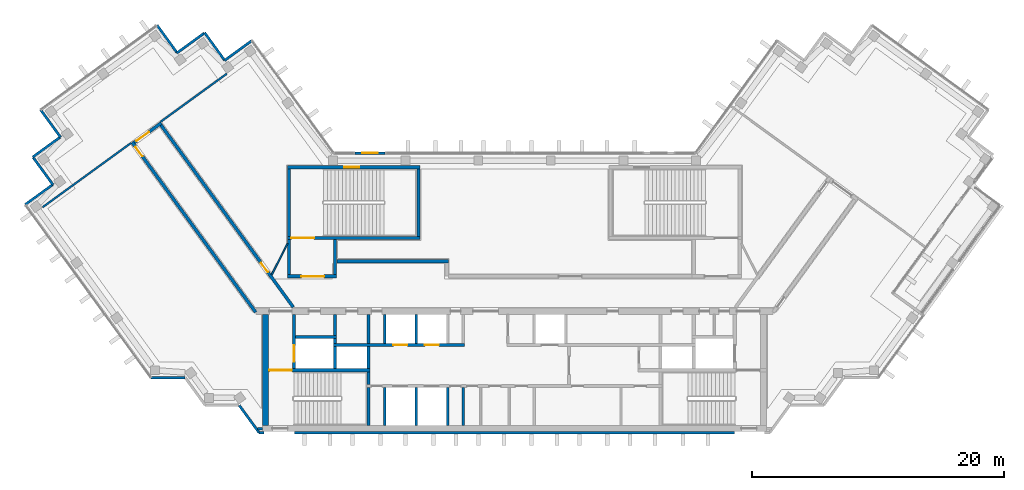
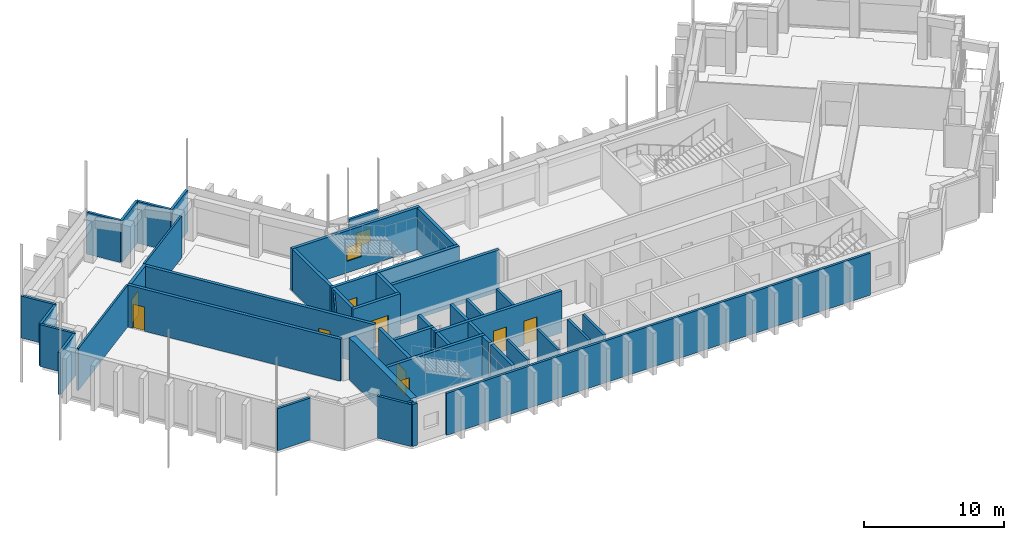
# One storey, part 9 of 14: 46 walls, 9 doors, 2 windows, 11 openings.
"""IFC4 building model written with IfcOpenShell, lengths in metres."""

from ifc_helpers import new_model, si_unit, direction, frame, frame_2d, origin, place, context, subcontext, project, spatial, rectangle, extrude, material, layer, layer_set, type_object, element, fill, save


model = new_model("IFC4")

# Units and contexts
model_context = context("Model", 3, precision=1e-05, world=origin(), true_north=direction((0.0, 1.0)))
body_context = subcontext(model_context, "Body", "Model", "MODEL_VIEW")
ifc_project = project(units=[si_unit("LENGTHUNIT", "METRE"), si_unit("AREAUNIT", "SQUARE_METRE"), si_unit("VOLUMEUNIT", "CUBIC_METRE"), si_unit("PLANEANGLEUNIT", "RADIAN"), si_unit("MASSUNIT", "GRAM", prefix="KILO")], contexts=[model_context])

# Site, building, storey
site_placement = place(None, origin())
site = spatial("IfcSite", under=ifc_project, at=site_placement, CompositionType="ELEMENT")
building_placement = place(site_placement, origin())
building = spatial("IfcBuilding", under=site, at=building_placement, Name="Quipu Civic Tower", CompositionType="ELEMENT")
storey_placement = place(building_placement, frame((0.0, 0.0, 311.0)))
storey = spatial("IfcBuildingStorey", under=building, at=storey_placement, Name="L72", CompositionType="ELEMENT", Elevation=311.0)

# Walls
ifc_material_1 = material(Name="Double gypsum plasterboard with mineral wool")
ifc_layer_1 = layer(ifc_material_1, 0.14990234375)
ifc_layer_set_1 = layer_set([ifc_layer_1], Name="Double gypsum plasterboard with mineral wool")
wall_type_1 = type_object("IfcWallType", Name="Acoustic partition 150 plasterboard", PredefinedType="PARTITIONING", material=ifc_layer_set_1)
wall_1_placement = place(storey_placement, frame((-22.818359375, 17.39599609375, 0.0), z_axis=(0.0, 0.0, 1.0), x_axis=(-0.809000932727, -0.587807358619, 0.0)))
element("IfcWall", 1, at=wall_1_placement, inside=storey, type_object=wall_type_1, Name="Partition P02", PredefinedType="PARTITIONING", context=body_context, shape_type="SweptSolid", body=[
    extrude(rectangle(XDim=6.49560546875, YDim=0.14990234375, at=frame_2d((3.247802734375, 0.0))), origin(), (0.0, 0.0, 1.0), 3.64990234375),
])
wall_2_placement = place(storey_placement, frame((-37.42919921875, 6.805419921875, 0.0), z_axis=(0.0, 0.0, 1.0), x_axis=(0.809020922653, 0.587779845444, 0.0)))
element("IfcWall", 2, at=wall_2_placement, inside=storey, type_object=wall_type_1, Name="Partition P03", PredefinedType="PARTITIONING", context=body_context, shape_type="SweptSolid", body=[
    extrude(rectangle(XDim=8.670166015625, YDim=0.14990234375, at=frame_2d((4.3349609375, 0.0))), origin(), (0.0, 0.0, 1.0), 3.64990234375),
])
ifc_material_2 = material(Name="Concrete C70/85", Category="concrete")
ifc_layer_2 = layer(ifc_material_2, 0.25)
ifc_layer_set_2 = layer_set([ifc_layer_2], Name="Concrete C70/85")
wall_type_2 = type_object("IfcWallType", Name="Core wall 250", PredefinedType="SHEAR", material=ifc_layer_set_2)
wall_3_placement = place(storey_placement, frame((-11.574951171875, -10.5, 0.0), z_axis=(0.0, 0.0, 1.0), x_axis=(0.0, 1.0, 0.0)))
element("IfcWall", 3, at=wall_3_placement, inside=storey, type_object=wall_type_2, Name="Core wall", PredefinedType="SHEAR", context=body_context, shape_type="SweptSolid", body=[
    extrude(rectangle(XDim=3.0, YDim=0.25, at=frame_2d((1.5, 0.0))), origin(), (0.0, 0.0, 1.0), 3.64990234375),
])
wall_4_placement = place(storey_placement, frame((-11.574951171875, -7.25, 0.0), z_axis=(0.0, 0.0, 1.0), x_axis=(0.0, 1.0, 0.0)))
element("IfcWall", 4, at=wall_4_placement, inside=storey, type_object=wall_type_2, Name="Core wall", PredefinedType="SHEAR", context=body_context, shape_type="SweptSolid", body=[
    extrude(rectangle(XDim=1.0, YDim=0.25, at=frame_2d((0.5, 0.0))), origin(), (0.0, 0.0, 1.0), 3.64990234375),
])

# Wall, opening, door
wall_5_placement = place(storey_placement, frame((-11.449951171875, -6.125, 0.0), z_axis=(0.0, 0.0, 1.0), x_axis=(-1.0, 0.0, 0.0)))
wall_5 = element("IfcWall", 5, at=wall_5_placement, inside=storey, type_object=wall_type_2, Name="Core wall", PredefinedType="SHEAR", context=body_context, shape_type="SweptSolid", body=[
    extrude(rectangle(XDim=8.050048828125, YDim=0.25, at=frame_2d((4.02490234375, 0.0))), origin(), (0.0, 0.0, 1.0), 3.64990234375),
])
opening_1_placement = place(wall_5_placement, frame((6.199951171875, 0.0, 0.0)))
opening_1 = element("IfcOpeningElement", 6, at=opening_1_placement, cuts=wall_5, Name="Opening CD-08", PredefinedType="OPENING", context=body_context, shape_type="SweptSolid", body=[
    extrude(rectangle(XDim=1.800048828125, YDim=2.10009765625, at=frame_2d((0.89990234375, 1.050048828125))), frame((0.0, 0.135009765625, 0.0), z_axis=(0.0, -1.0, 0.0), x_axis=(1.0, 0.0, 0.0)), (0.0, 0.0, 1.0), 0.27001953125),
])
ifc_material_3 = material(Name="Fire rated steel door", Category="steel")
door_type_1 = type_object("IfcDoorType", Name="Fire door FD90 double 1800 x 2100", OperationType="NOTDEFINED", PredefinedType="DOOR", material=ifc_material_3)
door_1_placement = place(opening_1_placement, origin())
door_1 = element("IfcDoor", 7, at=door_1_placement, inside=storey, type_object=door_type_1, Name="Door", OperationType="DOUBLE_DOOR_SINGLE_SWING", OverallHeight=2.10009765625, OverallWidth=1.800048828125, PredefinedType="DOOR", context=body_context, shape_type="SweptSolid", body=[
    extrude(rectangle(XDim=1.800048828125, YDim=2.10009765625, at=frame_2d((0.89990234375, 1.050048828125))), frame((0.0, 0.02490234375, 0.0), z_axis=(0.0, -1.0, 0.0), x_axis=(1.0, 0.0, 0.0)), (0.0, 0.0, 1.0), 0.050048828125),
])
fill(opening_1, door_1)

wall_6_placement = place(storey_placement, frame((-17.47509765625, -6.0, 0.0), z_axis=(0.0, 0.0, 1.0), x_axis=(0.0, 1.0, 0.0)))
wall_6 = element("IfcWall", 8, at=wall_6_placement, inside=storey, type_object=wall_type_2, Name="Core wall", PredefinedType="SHEAR", context=body_context, shape_type="SweptSolid", body=[
    extrude(rectangle(XDim=4.300048828125, YDim=0.25, at=frame_2d((2.14990234375, 0.0))), origin(), (0.0, 0.0, 1.0), 3.64990234375),
])
opening_2_placement = place(wall_6_placement, frame((0.550048828125, 0.0, 0.0)))
opening_2 = element("IfcOpeningElement", 9, at=opening_2_placement, cuts=wall_6, Name="Opening LD-FF1", PredefinedType="OPENING", context=body_context, shape_type="SweptSolid", body=[
    extrude(rectangle(XDim=1.300048828125, YDim=2.10009765625, at=frame_2d((0.64990234375, 1.050048828125))), frame((0.0, 0.135009765625, 0.0), z_axis=(0.0, -1.0, 0.0), x_axis=(1.0, 0.0, 0.0)), (0.0, 0.0, 1.0), 0.27001953125),
])
ifc_material_4 = material(Name="Stainless steel", Category="steel")
door_type_2 = type_object("IfcDoorType", Name="Lift landing door 1300 x 2100", OperationType="DOUBLE_DOOR_SLIDING", PredefinedType="DOOR", material=ifc_material_4)
door_2_placement = place(opening_2_placement, origin())
door_2 = element("IfcDoor", 10, at=door_2_placement, inside=storey, type_object=door_type_2, Name="Landing door FF1", OperationType="DOUBLE_DOOR_SLIDING", OverallHeight=2.10009765625, OverallWidth=1.300048828125, PredefinedType="DOOR", context=body_context, shape_type="SweptSolid", body=[
    extrude(rectangle(XDim=1.300048828125, YDim=2.10009765625, at=frame_2d((0.64990234375, 1.050048828125))), frame((0.0, 0.02490234375, 0.0), z_axis=(0.0, -1.0, 0.0), x_axis=(1.0, 0.0, 0.0)), (0.0, 0.0, 1.0), 0.050048828125),
])
fill(opening_2, door_2)

# Walls
for number, where, z_axis, x_axis, name in (
    (11, (-14.22509765625, -6.0, 0.0), (0.0, 0.0, 1.0), (0.0, 1.0, 0.0), "Core wall"),
    (12, (-11.574951171875, -6.0, 0.0), (0.0, 0.0, 1.0), (0.0, 1.0, 0.0), "Core wall"),
):
    element("IfcWall", number, at=place(storey_placement, frame(where, z_axis=z_axis, x_axis=x_axis)), inside=storey, type_object=wall_type_2, Name=name, PredefinedType="SHEAR", context=body_context, shape_type="SweptSolid", body=[
        extrude(rectangle(XDim=1.75, YDim=0.25, at=frame_2d((0.875, 0.0))), origin(), (0.0, 0.0, 1.0), 3.64990234375),
    ])

# Wall, openings, doors
wall_7_placement = place(storey_placement, frame((-14.35009765625, -4.125, 0.0), z_axis=(0.0, 0.0, 1.0), x_axis=(1.0, 0.0, 0.0)))
wall_7 = element("IfcWall", 13, at=wall_7_placement, inside=storey, type_object=wall_type_2, Name="Core wall", PredefinedType="SHEAR", context=body_context, shape_type="SweptSolid", body=[
    extrude(rectangle(XDim=10.400146484375, YDim=0.25, at=frame_2d((5.2001953125, 0.0))), origin(), (0.0, 0.0, 1.0), 3.64990234375),
])
opening_3_placement = place(wall_7_placement, frame((4.75, 0.0, 0.0)))
opening_3 = element("IfcOpeningElement", 14, at=opening_3_placement, cuts=wall_7, Name="Opening LD-HL3", PredefinedType="OPENING", context=body_context, shape_type="SweptSolid", body=[
    extrude(rectangle(XDim=1.10009765625, YDim=2.10009765625, at=frame_2d((0.550048828125, 1.050048828125))), frame((0.0, 0.135009765625, 0.0), z_axis=(0.0, -1.0, 0.0), x_axis=(1.0, 0.0, 0.0)), (0.0, 0.0, 1.0), 0.27001953125),
])
opening_4_placement = place(wall_7_placement, frame((7.25, 0.0, 0.0)))
opening_4 = element("IfcOpeningElement", 15, at=opening_4_placement, cuts=wall_7, Name="Opening LD-HL4", PredefinedType="OPENING", context=body_context, shape_type="SweptSolid", body=[
    extrude(rectangle(XDim=1.10009765625, YDim=2.10009765625, at=frame_2d((0.550048828125, 1.050048828125))), frame((0.0, 0.135009765625, 0.0), z_axis=(0.0, -1.0, 0.0), x_axis=(1.0, 0.0, 0.0)), (0.0, 0.0, 1.0), 0.27001953125),
])
ifc_material_5 = material(Name="Stainless steel", Category="steel")
door_type_3 = type_object("IfcDoorType", Name="Lift landing door 1100 x 2100", OperationType="DOUBLE_DOOR_SLIDING", PredefinedType="DOOR", material=ifc_material_5)
door_3_placement = place(opening_3_placement, origin())
door_3 = element("IfcDoor", 16, at=door_3_placement, inside=storey, type_object=door_type_3, Name="Landing door HL3", OperationType="DOUBLE_DOOR_SLIDING", OverallHeight=2.10009765625, OverallWidth=1.10009765625, PredefinedType="DOOR", context=body_context, shape_type="SweptSolid", body=[
    extrude(rectangle(XDim=1.10009765625, YDim=2.10009765625, at=frame_2d((0.550048828125, 1.050048828125))), frame((0.0, 0.02490234375, 0.0), z_axis=(0.0, -1.0, 0.0), x_axis=(1.0, 0.0, 0.0)), (0.0, 0.0, 1.0), 0.050048828125),
])
fill(opening_3, door_3)
door_4_placement = place(opening_4_placement, origin())
door_4 = element("IfcDoor", 17, at=door_4_placement, inside=storey, type_object=door_type_3, Name="Landing door HL4", OperationType="DOUBLE_DOOR_SLIDING", OverallHeight=2.10009765625, OverallWidth=1.10009765625, PredefinedType="DOOR", context=body_context, shape_type="SweptSolid", body=[
    extrude(rectangle(XDim=1.10009765625, YDim=2.10009765625, at=frame_2d((0.550048828125, 1.050048828125))), frame((0.0, 0.02490234375, 0.0), z_axis=(0.0, -1.0, 0.0), x_axis=(1.0, 0.0, 0.0)), (0.0, 0.0, 1.0), 0.050048828125),
])
fill(opening_4, door_4)

# Walls
wall_8_placement = place(storey_placement, frame((-14.22509765625, -4.0, 0.0), z_axis=(0.0, 0.0, 1.0), x_axis=(0.0, 1.0, 0.0)))
element("IfcWall", 18, at=wall_8_placement, inside=storey, type_object=wall_type_2, Name="Core wall", PredefinedType="SHEAR", context=body_context, shape_type="SweptSolid", body=[
    extrude(rectangle(XDim=0.39990234375, YDim=0.25, at=frame_2d((0.199951171875, 0.0))), origin(), (0.0, 0.0, 1.0), 3.64990234375),
])
wall_9_placement = place(storey_placement, frame((-11.574951171875, -4.0, 0.0), z_axis=(0.0, 0.0, 1.0), x_axis=(0.0, 1.0, 0.0)))
element("IfcWall", 19, at=wall_9_placement, inside=storey, type_object=wall_type_2, Name="Core wall", PredefinedType="SHEAR", context=body_context, shape_type="SweptSolid", body=[
    extrude(rectangle(XDim=2.300048828125, YDim=0.25, at=frame_2d((1.14990234375, 0.0))), origin(), (0.0, 0.0, 1.0), 3.64990234375),
])
wall_10_placement = place(storey_placement, frame((-17.35009765625, -3.47509765625, 0.0), z_axis=(0.0, 0.0, 1.0), x_axis=(1.0, 0.0, 0.0)))
element("IfcWall", 20, at=wall_10_placement, inside=storey, type_object=wall_type_2, Name="Core wall", PredefinedType="SHEAR", context=body_context, shape_type="SweptSolid", body=[
    extrude(rectangle(XDim=3.25, YDim=0.25, at=frame_2d((1.625, 0.0))), origin(), (0.0, 0.0, 1.0), 3.64990234375),
])
wall_11_placement = place(storey_placement, frame((-14.22509765625, -3.35009765625, 0.0), z_axis=(0.0, 0.0, 1.0), x_axis=(0.0, 1.0, 0.0)))
element("IfcWall", 21, at=wall_11_placement, inside=storey, type_object=wall_type_2, Name="Core wall", PredefinedType="SHEAR", context=body_context, shape_type="SweptSolid", body=[
    extrude(rectangle(XDim=1.650146484375, YDim=0.25, at=frame_2d((0.8251953125, 0.0))), origin(), (0.0, 0.0, 1.0), 3.64990234375),
])

# Wall, opening, door
wall_12_placement = place(storey_placement, frame((-18.0, 1.324951171875, 0.0), z_axis=(0.0, 0.0, 1.0), x_axis=(1.0, 0.0, 0.0)))
wall_12 = element("IfcWall", 22, at=wall_12_placement, inside=storey, type_object=wall_type_2, Name="Core wall", PredefinedType="SHEAR", context=body_context, shape_type="SweptSolid", body=[
    extrude(rectangle(XDim=3.89990234375, YDim=0.25, at=frame_2d((1.949951171875, 0.0))), origin(), (0.0, 0.0, 1.0), 3.64990234375),
])
opening_5_placement = place(wall_12_placement, frame((1.10009765625, 0.0, 0.0)))
opening_5 = element("IfcOpeningElement", 23, at=opening_5_placement, cuts=wall_12, Name="Opening CD-24", PredefinedType="OPENING", context=body_context, shape_type="SweptSolid", body=[
    extrude(rectangle(XDim=1.800048828125, YDim=2.10009765625, at=frame_2d((0.89990234375, 1.050048828125))), frame((0.0, 0.135009765625, 0.0), z_axis=(0.0, -1.0, 0.0), x_axis=(1.0, 0.0, 0.0)), (0.0, 0.0, 1.0), 0.27001953125),
])
door_5_placement = place(opening_5_placement, origin())
door_5 = element("IfcDoor", 24, at=door_5_placement, inside=storey, type_object=door_type_1, Name="Lobby door", OperationType="DOUBLE_DOOR_SINGLE_SWING", OverallHeight=2.10009765625, OverallWidth=1.800048828125, PredefinedType="DOOR", context=body_context, shape_type="SweptSolid", body=[
    extrude(rectangle(XDim=1.800048828125, YDim=2.10009765625, at=frame_2d((0.89990234375, 1.050048828125))), frame((0.0, 0.02490234375, 0.0), z_axis=(0.0, -1.0, 0.0), x_axis=(1.0, 0.0, 0.0)), (0.0, 0.0, 1.0), 0.050048828125),
])
fill(opening_5, door_5)

# Walls
for number, where, z_axis, x_axis, name in (
    (25, (-17.875, 1.449951171875, 0.0), (0.0, 0.0, 1.0), (0.0, 1.0, 0.0), "Core wall"),
    (26, (-14.22509765625, 1.449951171875, 0.0), (0.0, 0.0, 1.0), (0.0, 1.0, 0.0), "Core wall"),
):
    element("IfcWall", number, at=place(storey_placement, frame(where, z_axis=z_axis, x_axis=x_axis)), inside=storey, type_object=wall_type_2, Name=name, PredefinedType="SHEAR", context=body_context, shape_type="SweptSolid", body=[
        extrude(rectangle(XDim=2.800048828125, YDim=0.25, at=frame_2d((1.39990234375, 0.0))), origin(), (0.0, 0.0, 1.0), 3.64990234375),
    ])

# Wall, opening, door
wall_13_placement = place(storey_placement, frame((-18.0, 4.375, 0.0), z_axis=(0.0, 0.0, 1.0), x_axis=(1.0, 0.0, 0.0)))
wall_13 = element("IfcWall", 27, at=wall_13_placement, inside=storey, type_object=wall_type_2, Name="Core wall", PredefinedType="SHEAR", context=body_context, shape_type="SweptSolid", body=[
    extrude(rectangle(XDim=10.5, YDim=0.25, at=frame_2d((5.25, 0.0))), origin(), (0.0, 0.0, 1.0), 3.64990234375),
])
opening_6_placement = place(wall_13_placement, frame((0.300048828125, 0.0, 0.0)))
opening_6 = element("IfcOpeningElement", 28, at=opening_6_placement, cuts=wall_13, Name="Opening CD-25", PredefinedType="OPENING", context=body_context, shape_type="SweptSolid", body=[
    extrude(rectangle(XDim=1.800048828125, YDim=2.10009765625, at=frame_2d((0.89990234375, 1.050048828125))), frame((0.0, 0.135009765625, 0.0), z_axis=(0.0, -1.0, 0.0), x_axis=(1.0, 0.0, 0.0)), (0.0, 0.0, 1.0), 0.27001953125),
])
door_6_placement = place(opening_6_placement, origin())
door_6 = element("IfcDoor", 29, at=door_6_placement, inside=storey, type_object=door_type_1, Name="Door", OperationType="DOUBLE_DOOR_SINGLE_SWING", OverallHeight=2.10009765625, OverallWidth=1.800048828125, PredefinedType="DOOR", context=body_context, shape_type="SweptSolid", body=[
    extrude(rectangle(XDim=1.800048828125, YDim=2.10009765625, at=frame_2d((0.89990234375, 1.050048828125))), frame((0.0, 0.02490234375, 0.0), z_axis=(0.0, -1.0, 0.0), x_axis=(1.0, 0.0, 0.0)), (0.0, 0.0, 1.0), 0.050048828125),
])
fill(opening_6, door_6)

# Walls
for number, where, z_axis, x_axis, name in (
    (30, (-17.875, 4.5, 0.0), (0.0, 0.0, 1.0), (0.0, 1.0, 0.0), "Core wall"),
    (31, (-7.625, 4.5, 0.0), (0.0, 0.0, 1.0), (0.0, 1.0, 0.0), "Core wall"),
):
    element("IfcWall", number, at=place(storey_placement, frame(where, z_axis=z_axis, x_axis=x_axis)), inside=storey, type_object=wall_type_2, Name=name, PredefinedType="SHEAR", context=body_context, shape_type="SweptSolid", body=[
        extrude(rectangle(XDim=5.35009765625, YDim=0.25, at=frame_2d((2.675048828125, 0.0))), origin(), (0.0, 0.0, 1.0), 3.64990234375),
    ])

# Wall, opening, window
wall_14_placement = place(storey_placement, frame((-18.0, 9.97509765625, 0.0), z_axis=(0.0, 0.0, 1.0), x_axis=(1.0, 0.0, 0.0)))
wall_14 = element("IfcWall", 32, at=wall_14_placement, inside=storey, type_object=wall_type_2, Name="Core wall", PredefinedType="SHEAR", context=body_context, shape_type="SweptSolid", body=[
    extrude(rectangle(XDim=10.5, YDim=0.25, at=frame_2d((5.25, 0.0))), origin(), (0.0, 0.0, 1.0), 3.64990234375),
])
opening_7_placement = place(wall_14_placement, frame((4.5, 0.0, 1.0)))
opening_7 = element("IfcOpeningElement", 33, at=opening_7_placement, cuts=wall_14, Name="Opening SV-3", PredefinedType="OPENING", context=body_context, shape_type="SweptSolid", body=[
    extrude(rectangle(XDim=1.199951171875, YDim=1.199951171875, at=frame_2d((0.60009765625, 0.60009765625))), frame((0.0, 0.135009765625, 0.0), z_axis=(0.0, -1.0, 0.0), x_axis=(1.0, 0.0, 0.0)), (0.0, 0.0, 1.0), 0.27001953125),
])
ifc_material_6 = material(Name="Aluminium louvre", Category="aluminium")
window_type_1 = type_object("IfcWindowType", Name="Stair ventilation louvre 1200 x 1200", PartitioningType="SINGLE_PANEL", PredefinedType="WINDOW", material=ifc_material_6)
window_1_placement = place(opening_7_placement, origin())
window_1 = element("IfcWindow", 34, at=window_1_placement, inside=storey, type_object=window_type_1, Name="Stair ventilation opening", OverallHeight=1.199951171875, OverallWidth=1.199951171875, PartitioningType="SINGLE_PANEL", PredefinedType="WINDOW", context=body_context, shape_type="SweptSolid", body=[
    extrude(rectangle(XDim=1.199951171875, YDim=1.199951171875, at=frame_2d((0.60009765625, 0.60009765625))), frame((0.0, 0.030029296875, 0.0), z_axis=(0.0, -1.0, 0.0), x_axis=(1.0, 0.0, 0.0)), (0.0, 0.0, 1.0), 0.06005859375),
])
fill(opening_7, window_1)

# Wall
ifc_material_7 = material(Name="Concrete C70/85", Category="concrete")
ifc_layer_3 = layer(ifc_material_7, 0.5)
ifc_layer_set_3 = layer_set([ifc_layer_3], Name="Concrete C70/85")
wall_type_3 = type_object("IfcWallType", Name="Core wall 500", PredefinedType="SHEAR", material=ifc_layer_set_3)
wall_15_placement = place(storey_placement, frame((-19.75, -10.5, 0.0), z_axis=(0.0, 0.0, 1.0), x_axis=(0.0, 1.0, 0.0)))
element("IfcWall", 35, at=wall_15_placement, inside=storey, type_object=wall_type_3, Name="Core wall", PredefinedType="SHEAR", context=body_context, shape_type="SweptSolid", body=[
    extrude(rectangle(XDim=8.800048828125, YDim=0.5, at=frame_2d((4.39990234375, 0.0))), origin(), (0.0, 0.0, 1.0), 3.64990234375),
])

# Wall, opening, door
ifc_material_8 = material(Name="Concrete C50/60", Category="concrete")
ifc_layer_4 = layer(ifc_material_8, 0.25)
ifc_layer_set_4 = layer_set([ifc_layer_4], Name="Concrete C50/60")
wall_type_4 = type_object("IfcWallType", Name="Corridor wall 250 concrete", PredefinedType="SOLIDWALL", material=ifc_layer_set_4)
wall_16_placement = place(storey_placement, frame((-20.531005859375, -1.5234375, 0.0), z_axis=(0.0, 0.0, 1.0), x_axis=(-0.587785867777, 0.809016547199, 0.0)))
wall_16 = element("IfcWall", 36, at=wall_16_placement, inside=storey, type_object=wall_type_4, Name="Corridor wall C04", PredefinedType="SOLIDWALL", context=body_context, shape_type="SweptSolid", body=[
    extrude(rectangle(XDim=16.67041015625, YDim=0.25, at=frame_2d((8.335205078125, 0.0))), origin(), (0.0, 0.0, 1.0), 3.64990234375),
])
opening_8_placement = place(wall_16_placement, frame((15.2958984375, 0.0, 0.0)))
opening_8 = element("IfcOpeningElement", 37, at=opening_8_placement, cuts=wall_16, Name="Opening D006", PredefinedType="OPENING", context=body_context, shape_type="SweptSolid", body=[
    extrude(rectangle(XDim=0.89990234375, YDim=2.10009765625, at=frame_2d((0.449951171875, 1.050048828125))), frame((0.0, 0.135009765625, 0.0), z_axis=(0.0, -1.0, 0.0), x_axis=(1.0, 0.0, 0.0)), (0.0, 0.0, 1.0), 0.27001953125),
])
ifc_material_9 = material(Name="Fire rated timber door set with metal frame", Category="wood")
door_type_4 = type_object("IfcDoorType", Name="Single door 900 x 2100 FD60", OperationType="NOTDEFINED", PredefinedType="DOOR", material=ifc_material_9)
door_7_placement = place(opening_8_placement, origin())
door_7 = element("IfcDoor", 38, at=door_7_placement, inside=storey, type_object=door_type_4, Name="Door D006", OperationType="SINGLE_SWING_RIGHT", OverallHeight=2.10009765625, OverallWidth=0.89990234375, PredefinedType="DOOR", context=body_context, shape_type="SweptSolid", body=[
    extrude(rectangle(XDim=0.89990234375, YDim=2.10009765625, at=frame_2d((0.449951171875, 1.050048828125))), frame((0.0, 0.02490234375, 0.0), z_axis=(0.0, -1.0, 0.0), x_axis=(1.0, 0.0, 0.0)), (0.0, 0.0, 1.0), 0.050048828125),
])
fill(opening_8, door_7)

wall_17_placement = place(storey_placement, frame((-30.155029296875, 11.935546875, 0.0), z_axis=(0.0, 0.0, 1.0), x_axis=(0.809038743598, 0.587755315891, 0.0)))
wall_17 = element("IfcWall", 39, at=wall_17_placement, inside=storey, type_object=wall_type_4, Name="Corridor wall C05", PredefinedType="SOLIDWALL", context=body_context, shape_type="SweptSolid", body=[
    extrude(rectangle(XDim=2.650146484375, YDim=0.25, at=frame_2d((1.3251953125, 0.0))), origin(), (0.0, 0.0, 1.0), 3.64990234375),
])
opening_9_placement = place(wall_17_placement, frame((0.224609375, 0.0, 0.0)))
opening_9 = element("IfcOpeningElement", 40, at=opening_9_placement, cuts=wall_17, Name="Opening D007", PredefinedType="OPENING", context=body_context, shape_type="SweptSolid", body=[
    extrude(rectangle(XDim=1.199951171875, YDim=2.10009765625, at=frame_2d((0.60009765625, 1.050048828125))), frame((0.0, 0.135009765625, 0.0), z_axis=(0.0, -1.0, 0.0), x_axis=(1.0, 0.0, 0.0)), (0.0, 0.0, 1.0), 0.27001953125),
])
ifc_material_10 = material(Name="Fire rated timber door set with metal frame", Category="wood")
door_type_5 = type_object("IfcDoorType", Name="Single door 1200 x 2100 FD60", OperationType="NOTDEFINED", PredefinedType="DOOR", material=ifc_material_10)
door_8_placement = place(opening_9_placement, origin())
door_8 = element("IfcDoor", 41, at=door_8_placement, inside=storey, type_object=door_type_5, Name="Door D007", OperationType="SINGLE_SWING_LEFT", OverallHeight=2.10009765625, OverallWidth=1.199951171875, PredefinedType="DOOR", context=body_context, shape_type="SweptSolid", body=[
    extrude(rectangle(XDim=1.199951171875, YDim=2.10009765625, at=frame_2d((0.60009765625, 1.050048828125))), frame((0.0, 0.02490234375, 0.0), z_axis=(0.0, -1.0, 0.0), x_axis=(1.0, 0.0, 0.0)), (0.0, 0.0, 1.0), 0.050048828125),
])
fill(opening_9, door_8)

wall_18_placement = place(storey_placement, frame((-28.038818359375, 13.318603515625, 0.0), z_axis=(0.0, 0.0, 1.0), x_axis=(0.587791911753, -0.809012155952, 0.0)))
wall_18 = element("IfcWall", 42, at=wall_18_placement, inside=storey, type_object=wall_type_4, Name="Corridor wall C06", PredefinedType="SOLIDWALL", context=body_context, shape_type="SweptSolid", body=[
    extrude(rectangle(XDim=17.85302734375, YDim=0.25, at=frame_2d((8.926513671875, 0.0))), origin(), (0.0, 0.0, 1.0), 3.64990234375),
])
opening_10_placement = place(wall_18_placement, frame((13.51171875, 0.0, 0.0)))
opening_10 = element("IfcOpeningElement", 43, at=opening_10_placement, cuts=wall_18, Name="Opening D005", PredefinedType="OPENING", context=body_context, shape_type="SweptSolid", body=[
    extrude(rectangle(XDim=0.89990234375, YDim=2.10009765625, at=frame_2d((0.449951171875, 1.050048828125))), frame((0.0, 0.135009765625, 0.0), z_axis=(0.0, -1.0, 0.0), x_axis=(1.0, 0.0, 0.0)), (0.0, 0.0, 1.0), 0.27001953125),
])
door_9_placement = place(opening_10_placement, origin())
door_9 = element("IfcDoor", 44, at=door_9_placement, inside=storey, type_object=door_type_4, Name="Door D005", OperationType="SINGLE_SWING_RIGHT", OverallHeight=2.10009765625, OverallWidth=0.89990234375, PredefinedType="DOOR", context=body_context, shape_type="SweptSolid", body=[
    extrude(rectangle(XDim=0.89990234375, YDim=2.10009765625, at=frame_2d((0.449951171875, 1.050048828125))), frame((0.0, 0.02490234375, 0.0), z_axis=(0.0, -1.0, 0.0), x_axis=(1.0, 0.0, 0.0)), (0.0, 0.0, 1.0), 0.050048828125),
])
fill(opening_10, door_9)

# Walls
wall_19_placement = place(storey_placement, frame((-14.090087890625, 2.52490234375, 0.0), z_axis=(0.0, 0.0, 1.0), x_axis=(1.0, 0.0, 0.0)))
element("IfcWall", 45, at=wall_19_placement, inside=storey, type_object=wall_type_4, Name="Corridor wall C07", PredefinedType="SOLIDWALL", context=body_context, shape_type="SweptSolid", body=[
    extrude(rectangle(XDim=8.840087890625, YDim=0.25, at=frame_2d((4.419921875, 0.0))), origin(), (0.0, 0.0, 1.0), 3.64990234375),
])
ifc_material_11 = material(Name="Gypsum plasterboard on light gauge framing")
ifc_layer_5 = layer(ifc_material_11, 0.1201171875)
ifc_layer_set_5 = layer_set([ifc_layer_5], Name="Gypsum plasterboard on light gauge framing")
wall_type_5 = type_object("IfcWallType", Name="Partition 120 plasterboard", PredefinedType="PARTITIONING", material=ifc_layer_set_5)
wall_20_placement = place(storey_placement, frame((-19.260986328125, 1.449951171875, 0.0), z_axis=(0.0, 0.0, 1.0), x_axis=(0.453950796792, 0.891026752736, 0.0)))
element("IfcWall", 46, at=wall_20_placement, inside=storey, type_object=wall_type_5, Name="Partition P06", PredefinedType="PARTITIONING", context=body_context, shape_type="SweptSolid", body=[
    extrude(rectangle(XDim=2.77783203125, YDim=0.1201171875, at=frame_2d((1.388916015625, 0.0))), origin(), (0.0, 0.0, 1.0), 3.64990234375),
])

# Wall, opening, window
ifc_material_12 = material(Name="Precast concrete C40/50", Category="concrete")
wall_type_6 = type_object("IfcWallType", Name="Precast cladding wall", PredefinedType="SOLIDWALL", material=ifc_material_12)
wall_21_placement = place(storey_placement, frame((-10.263427734375, 11.10009765625, 0.0), z_axis=(0.0, 0.0, 1.0), x_axis=(-1.0, 0.0, 0.0)))
wall_21 = element("IfcWall", 47, at=wall_21_placement, inside=storey, type_object=wall_type_6, Name="Vent surround SF-L71-1", PredefinedType="SOLIDWALL", context=body_context, shape_type="SweptSolid", body=[
    extrude(rectangle(XDim=2.3916015625, YDim=0.199951171875, at=frame_2d((1.19580078125, 0.0))), origin(), (0.0, 0.0, 1.0), 3.64990234375),
])
opening_11_placement = place(wall_21_placement, frame((0.595703125, 0.0, 1.0)))
opening_11 = element("IfcOpeningElement", 48, at=opening_11_placement, cuts=wall_21, Name="Opening SF-L71-1", PredefinedType="OPENING", context=body_context, shape_type="SweptSolid", body=[
    extrude(rectangle(XDim=1.199951171875, YDim=1.199951171875, at=frame_2d((0.60009765625, 0.60009765625))), frame((0.0, 0.10986328125, 0.0), z_axis=(0.0, -1.0, 0.0), x_axis=(1.0, 0.0, 0.0)), (0.0, 0.0, 1.0), 0.219970703125),
])
ifc_material_13 = material(Name="Anodised aluminium louvre", Category="aluminium")
window_type_2 = type_object("IfcWindowType", Name="Stair vent louvre window P3", PartitioningType="SINGLE_PANEL", PredefinedType="WINDOW", material=ifc_material_13)
window_2_placement = place(opening_11_placement, origin())
window_2 = element("IfcWindow", 49, at=window_2_placement, inside=storey, type_object=window_type_2, Name="Stair vent louvre SF-L71-1", OverallHeight=1.199951171875, OverallWidth=1.199951171875, PartitioningType="SINGLE_PANEL", PredefinedType="WINDOW", context=body_context, shape_type="SweptSolid", body=[
    extrude(rectangle(XDim=1.199951171875, YDim=1.199951171875, at=frame_2d((0.60009765625, 0.60009765625))), frame((0.0, 0.030029296875, 0.0), z_axis=(0.0, -1.0, 0.0), x_axis=(1.0, 0.0, 0.0)), (0.0, 0.0, 1.0), 0.06005859375),
])
fill(opening_11, window_2)

# Walls
for number, where, z_axis, x_axis, name in (
    (50, (-20.828857421875, 20.025390625, 0.0), (0.0, 0.0, 1.0), (-0.808990163075, -0.587822180636, 0.0), "Precast cladding wall L72 P14"),
    (51, (-22.996337890625, 18.465576171875, 0.0), (0.0, 0.0, 1.0), (-0.587762999008, 0.809033161865, 0.0), "Precast cladding wall L72 P15"),
):
    element("IfcWall", number, at=place(storey_placement, frame(where, z_axis=z_axis, x_axis=x_axis)), inside=storey, type_object=wall_type_6, Name=name, PredefinedType="SOLIDWALL", context=body_context, shape_type="SweptSolid", body=[
        extrude(rectangle(XDim=2.699951171875, YDim=0.199951171875, at=frame_2d((1.35009765625, 0.0))), origin(), (0.0, 0.0, 1.0), 3.64990234375),
    ])
for number, where, z_axis, x_axis, name in (
    (52, (-24.60009765625, 20.62255859375, 0.0), (0.0, 0.0, 1.0), (-0.809064397168, -0.587720002413, 0.0), "Precast cladding wall L72 P16"),
    (53, (-26.767578125, 19.062744140625, 0.0), (0.0, 0.0, 1.0), (-0.587720002413, 0.809064397168, 0.0), "Precast cladding wall L72 P17"),
):
    element("IfcWall", number, at=place(storey_placement, frame(where, z_axis=z_axis, x_axis=x_axis)), inside=storey, type_object=wall_type_6, Name=name, PredefinedType="SOLIDWALL", context=body_context, shape_type="SweptSolid", body=[
        extrude(rectangle(XDim=2.7001953125, YDim=0.199951171875, at=frame_2d((1.35009765625, 0.0))), origin(), (0.0, 0.0, 1.0), 3.64990234375),
    ])
for number, where, z_axis, x_axis, name in (
    (54, (-37.591796875, 14.535888671875, 0.0), (0.0, 0.0, 1.0), (0.587762999008, -0.809033161865, 0.0), "Precast cladding wall L72 P19"),
    (55, (-36.031982421875, 12.36865234375, 0.0), (0.0, 0.0, 1.0), (-0.809033161865, -0.587762999008, 0.0), "Precast cladding wall L72 P20"),
    (56, (-38.189208984375, 10.7646484375, 0.0), (0.0, 0.0, 1.0), (0.587822180636, -0.808990163075, 0.0), "Precast cladding wall L72 P21"),
    (57, (-36.62939453125, 8.597412109375, 0.0), (0.0, 0.0, 1.0), (-0.809033161865, -0.587762999008, 0.0), "Precast cladding wall L72 P22"),
    (58, (-28.829833984375, -6.71923828125, 0.0), (0.0, 0.0, 1.0), (1.0, 0.0, 0.0), "Precast cladding wall L72 P24"),
):
    element("IfcWall", number, at=place(storey_placement, frame(where, z_axis=z_axis, x_axis=x_axis)), inside=storey, type_object=wall_type_6, Name=name, PredefinedType="SOLIDWALL", context=body_context, shape_type="SweptSolid", body=[
        extrude(rectangle(XDim=2.699951171875, YDim=0.199951171875, at=frame_2d((1.35009765625, 0.0))), origin(), (0.0, 0.0, 1.0), 3.64990234375),
    ])
wall_22_placement = place(storey_placement, frame((-21.8330078125, -8.90869140625, 0.0), z_axis=(0.0, 0.0, 1.0), x_axis=(0.587766567315, -0.809030569476, 0.0)))
element("IfcWall", 59, at=wall_22_placement, inside=storey, type_object=wall_type_6, Name="Precast cladding wall L72 P27", PredefinedType="SOLIDWALL", context=body_context, shape_type="SweptSolid", body=[
    extrude(rectangle(XDim=2.687744140625, YDim=0.199951171875, at=frame_2d((1.34375, 0.0))), origin(), (0.0, 0.0, 1.0), 3.64990234375),
])
wall_23_placement = place(storey_placement, frame((-20.255859375, -11.087890625, 0.0), z_axis=(0.0, 0.0, 1.0), x_axis=(1.0, 0.0, 0.0)))
element("IfcWall", 60, at=wall_23_placement, inside=storey, type_object=wall_type_6, Name="Precast cladding wall L72 P28", PredefinedType="SOLIDWALL", context=body_context, shape_type="SweptSolid", body=[
    extrude(rectangle(XDim=0.40576171875, YDim=0.199951171875, at=frame_2d((0.202880859375, 0.0))), origin(), (0.0, 0.0, 1.0), 3.64990234375),
])
wall_24_placement = place(storey_placement, frame((-17.44384765625, -11.087890625, 0.0), z_axis=(0.0, 0.0, 1.0), x_axis=(1.0, 0.0, 0.0)))
element("IfcWall", 61, at=wall_24_placement, inside=storey, type_object=wall_type_6, Name="Precast cladding wall L72 P29", PredefinedType="SOLIDWALL", context=body_context, shape_type="SweptSolid", body=[
    extrude(rectangle(XDim=34.8876953125, YDim=0.199951171875, at=frame_2d((17.44384765625, 0.0))), origin(), (0.0, 0.0, 1.0), 3.64990234375),
])
wall_25_placement = place(storey_placement, frame((-19.97998046875, -10.75, 0.0), z_axis=(0.0, 0.0, 1.0), x_axis=(-1.0, 0.0, 0.0)))
element("IfcWall", 62, at=wall_25_placement, inside=storey, type_object=wall_type_6, Name="Precast cladding return L72 W", PredefinedType="SOLIDWALL", context=body_context, shape_type="SweptSolid", body=[
    extrude(rectangle(XDim=0.41650390625, YDim=0.199951171875, at=frame_2d((0.208251953125, 0.0))), origin(), (0.0, 0.0, 1.0), 3.64990234375),
])
ifc_material_14 = material(Name="Concrete C40/50", Category="concrete")
ifc_layer_6 = layer(ifc_material_14, 0.199951171875)
ifc_layer_set_6 = layer_set([ifc_layer_6], Name="Concrete C40/50")
wall_type_7 = type_object("IfcWallType", Name="Shaft wall 200", PredefinedType="SOLIDWALL", material=ifc_layer_set_6)
for number, where, z_axis, x_axis, name in (
    (63, (-10.300048828125, -10.5, 0.0), (0.0, 0.0, 1.0), (0.0, 1.0, 0.0), "Shaft wall"),
    (64, (-7.800048828125, -10.5, 0.0), (0.0, 0.0, 1.0), (0.0, 1.0, 0.0), "Shaft wall"),
    (65, (-5.300048828125, -10.5, 0.0), (0.0, 0.0, 1.0), (0.0, 1.0, 0.0), "Shaft wall"),
    (66, (-4.050048828125, -10.5, 0.0), (0.0, 0.0, 1.0), (0.0, 1.0, 0.0), "Shaft wall"),
):
    element("IfcWall", number, at=place(storey_placement, frame(where, z_axis=z_axis, x_axis=x_axis)), inside=storey, type_object=wall_type_7, Name=name, PredefinedType="SOLIDWALL", context=body_context, shape_type="SweptSolid", body=[
        extrude(rectangle(XDim=3.0, YDim=0.199951171875, at=frame_2d((1.5, 0.0))), origin(), (0.0, 0.0, 1.0), 3.64990234375),
    ])
for number, where, z_axis, x_axis, name in (
    (67, (-10.300048828125, -4.0, 0.0), (0.0, 0.0, 1.0), (0.0, 1.0, 0.0), "Shaft wall"),
    (68, (-7.800048828125, -4.0, 0.0), (0.0, 0.0, 1.0), (0.0, 1.0, 0.0), "Shaft wall"),
):
    element("IfcWall", number, at=place(storey_placement, frame(where, z_axis=z_axis, x_axis=x_axis)), inside=storey, type_object=wall_type_7, Name=name, PredefinedType="SOLIDWALL", context=body_context, shape_type="SweptSolid", body=[
        extrude(rectangle(XDim=2.300048828125, YDim=0.199951171875, at=frame_2d((1.14990234375, 0.0))), origin(), (0.0, 0.0, 1.0), 3.64990234375),
    ])

save(model, "model.ifc")
